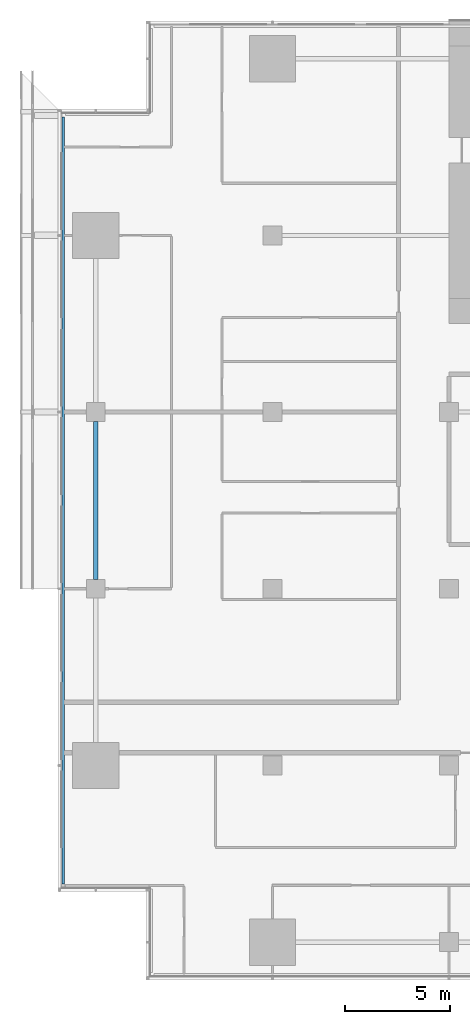
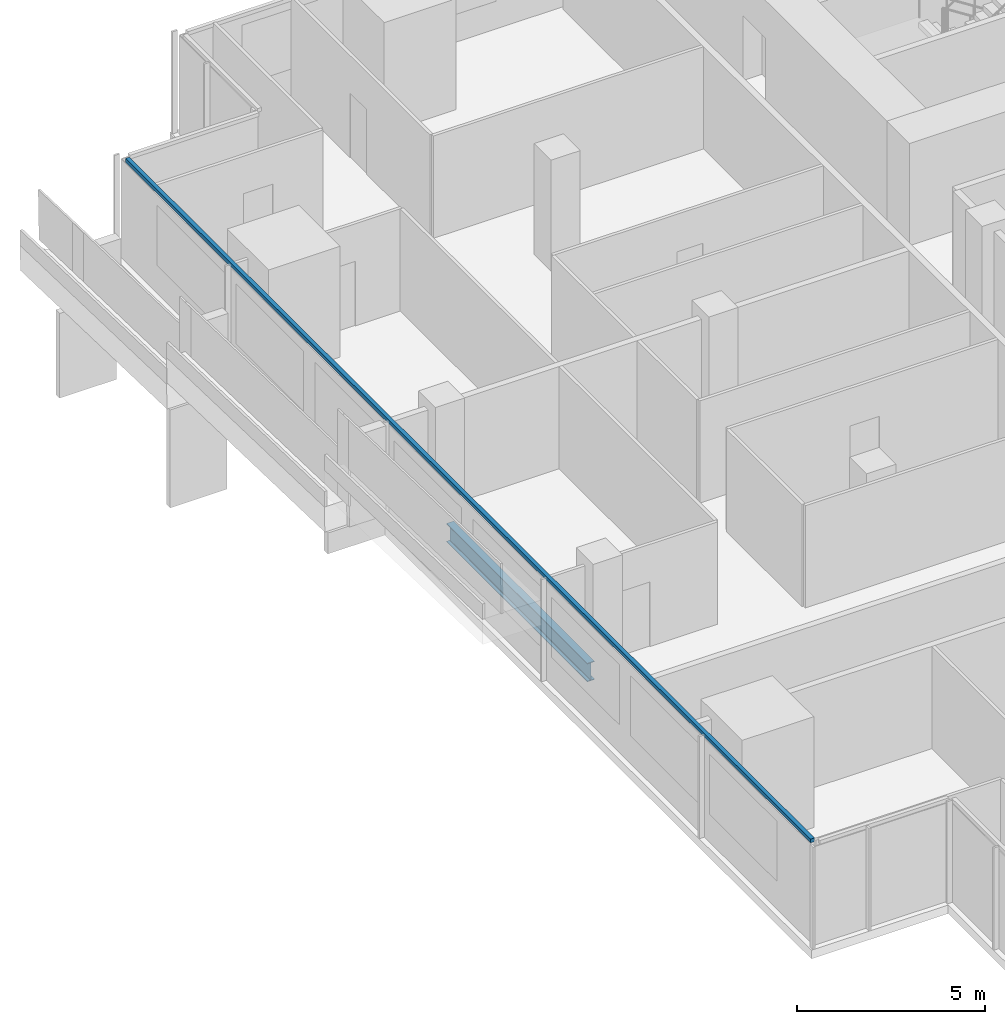
# One storey, part 3 of 25: 1 beam, 1 member, 1 element without a shape of its own.
"""IFC4 building model written with IfcOpenShell, lengths in metres."""

from ifc_helpers import new_model, si_unit, direction, frame, origin, origin_2d, place, context, subcontext, project, spatial, rectangle, i_section, extrude, material, material_profile, profile_set, type_object, element, aggregate, save


model = new_model("IFC4")

# Units and contexts
model_context = context("Model", 3, precision=1e-05, world=origin(), true_north=direction((0.0, 1.0)))
body_context = subcontext(model_context, "Body", "Model", "MODEL_VIEW")
ifc_project = project(units=[si_unit("LENGTHUNIT", "METRE"), si_unit("AREAUNIT", "SQUARE_METRE"), si_unit("VOLUMEUNIT", "CUBIC_METRE"), si_unit("PLANEANGLEUNIT", "RADIAN"), si_unit("MASSUNIT", "GRAM", prefix="KILO")], contexts=[model_context])

# Site, building, storey
site_placement = place(None, origin())
site = spatial("IfcSite", under=ifc_project, at=site_placement, CompositionType="ELEMENT")
building_placement = place(site_placement, origin())
building = spatial("IfcBuilding", under=site, at=building_placement, Name="Saffron Gate Tower", CompositionType="ELEMENT")
storey_placement = place(building_placement, frame((0.0, 0.0, 73.199951171875)))
storey = spatial("IfcBuildingStorey", under=building, at=storey_placement, Name="L17", CompositionType="ELEMENT", Elevation=73.199951171875)

# Beam
ifc_material_1 = material(Name="Structural steel S355", Category="steel")
ifc_material_profile_1 = material_profile(ifc_material_1, i_section(OverallWidth=0.219970703125, OverallDepth=0.60009765625, WebThickness=0.011962890625, FlangeThickness=0.01904296875, FilletRadius=0.02392578125, at=origin_2d()))
ifc_profile_set_1 = profile_set([ifc_material_profile_1], Name="Structural steel S355")
beam_type = type_object("IfcBeamType", Name="B16 IPE 600", PredefinedType="SPANDREL", material=ifc_profile_set_1)
beam_placement = place(storey_placement, frame((49.800048828125, 49.050048828125, -0.579833984375), z_axis=(0.0, 1.0, 0.0), x_axis=(-1.0, 0.0, 0.0)))
element("IfcBeam", 1, at=beam_placement, inside=storey, type_object=beam_type, Name="B16 SPANDREL BEAM", PredefinedType="SPANDREL", context=body_context, shape_type="SweptSolid", body=[
    extrude(i_section(OverallWidth=0.219970703125, OverallDepth=0.60009765625, WebThickness=0.011962890625, FlangeThickness=0.01904296875, FilletRadius=0.02392578125, at=origin_2d()), origin(), (0.0, 0.0, 1.0), 7.5),
])

# Curtain wall, member
ifc_material_2 = material(Name="Aluminium, bronze anodised", Category="aluminium")
curtain_wall_type = type_object("IfcCurtainWallType", Name="CWS2 curtain wall side facades", PredefinedType="NOTDEFINED", material=ifc_material_2)
curtain_wall_placement = place(storey_placement, origin())
curtain_wall = element("IfcCurtainWall", 2, at=curtain_wall_placement, inside=storey, type_object=curtain_wall_type, Name="CWS2 run 10", PredefinedType="NOTDEFINED")
ifc_material_profile_2 = material_profile(ifc_material_2, rectangle(XDim=0.1201171875, YDim=0.1201171875, at=origin_2d()))
ifc_profile_set_2 = profile_set([ifc_material_profile_2], Name="Aluminium, bronze anodised")
member_type = type_object("IfcMemberType", Name="CWS2 head transom", PredefinedType="USERDEFINED", material=ifc_profile_set_2)
member_placement = place(storey_placement, frame((48.248046875, 71.031982421875, 3.260009765625), z_axis=(0.0, -1.0, 0.0), x_axis=(1.0, 0.0, 0.0)))
member = element("IfcMember", 3, at=member_placement, type_object=member_type, Name="CWS2 head transom", ObjectType="TRANSOM", PredefinedType="USERDEFINED", context=body_context, shape_type="SweptSolid", body=[
    extrude(rectangle(XDim=0.1201171875, YDim=0.1201171875, at=origin_2d()), origin(), (0.0, 0.0, 1.0), 36.4638671875),
])
aggregate(curtain_wall, [member])

save(model, "model.ifc")
